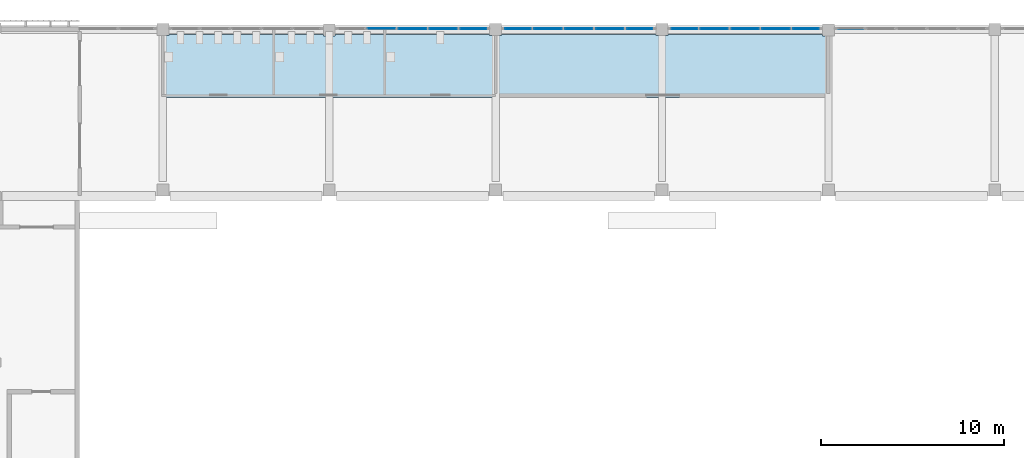
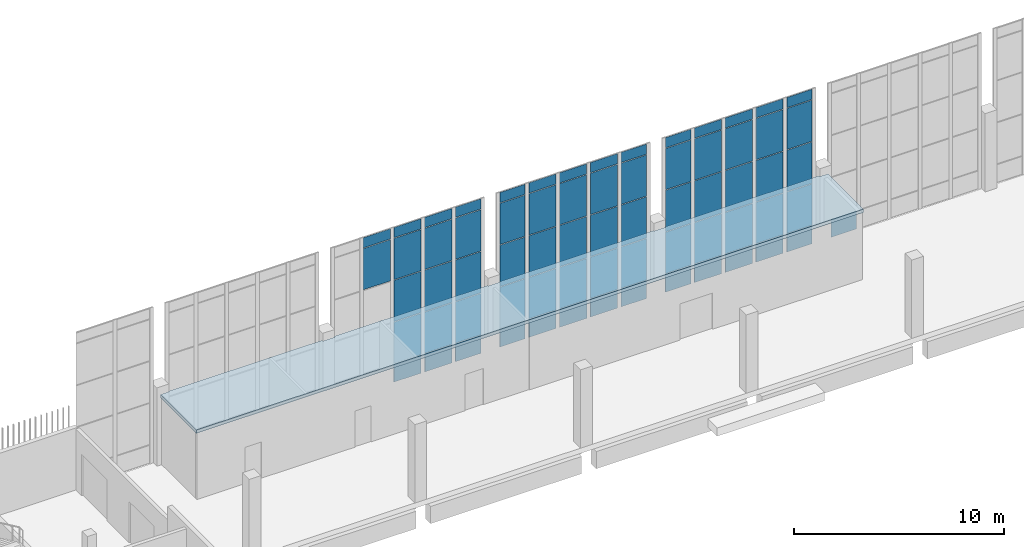
# One storey, part 36 of 91: 68 plates, 1 slab, 4 elements without a shape of their own.
"""IFC4 building model written with IfcOpenShell, lengths in metres."""

from ifc_helpers import new_model, si_unit, direction, frame, origin, origin_2d, place, context, subcontext, project, spatial, polyline, rectangle, outline, extrude, material, layer, layer_set, type_object, element, aggregate, save


model = new_model("IFC4")

# Units and contexts
model_context = context("Model", 3, precision=1e-05, world=origin(), true_north=direction((0.0, 1.0)))
body_context = subcontext(model_context, "Body", "Model", "MODEL_VIEW")
ifc_project = project(units=[si_unit("LENGTHUNIT", "METRE"), si_unit("AREAUNIT", "SQUARE_METRE"), si_unit("VOLUMEUNIT", "CUBIC_METRE"), si_unit("PLANEANGLEUNIT", "RADIAN"), si_unit("MASSUNIT", "GRAM", prefix="KILO")], contexts=[model_context])

# Site, building, storey
site_placement = place(None, origin())
site = spatial("IfcSite", under=ifc_project, at=site_placement, CompositionType="ELEMENT")
building_placement = place(site_placement, origin())
building = spatial("IfcBuilding", under=site, at=building_placement, Name="Shirokan Park Arena", CompositionType="ELEMENT")
storey_placement = place(building_placement, frame((0.0, 0.0, 24.570068359375)))
storey = spatial("IfcBuildingStorey", under=building, at=storey_placement, Name="L05", CompositionType="ELEMENT", Elevation=24.570068359375)

# Curtain wall, plates
ifc_material_1 = material(Name="Steel and glass curtain wall", Category="steel")
ifc_layer_1 = layer(ifc_material_1, 0.199951171875)
ifc_layer_set_1 = layer_set([ifc_layer_1], Name="Steel and glass curtain wall 200 mm")
curtain_wall_type = type_object("IfcCurtainWallType", Name="Curtain wall hall bay 200", PredefinedType="NOTDEFINED", material=ifc_layer_set_1)
curtain_wall_1_placement = place(storey_placement, origin())
curtain_wall_1 = element("IfcCurtainWall", 1, at=curtain_wall_1_placement, inside=storey, type_object=curtain_wall_type, Name="Curtain wall north bay 8 L05", PredefinedType="NOTDEFINED")
ifc_material_2 = material(Name="Toughened glass", Category="glass")
ifc_layer_2 = layer(ifc_material_2, 0.012939453125, Name="Toughened glass")
ifc_material_3 = material(Name="Interlayer film")
ifc_layer_3 = layer(ifc_material_3, 0.001953125, Name="Interlayer film")
ifc_layer_4 = layer(ifc_material_2, 0.012939453125, Name="Toughened glass")
ifc_layer_set_2 = layer_set([ifc_layer_2, ifc_layer_3, ifc_layer_4], Name="Toughened glass + Interlayer film")
plate_type_1 = type_object("IfcPlateType", Name="Laminated glass panel 28", PredefinedType="CURTAIN_PANEL", material=ifc_layer_set_2)
plate_1_placement = place(storey_placement, frame((80.679931640625, 109.25, 1.1201171875), z_axis=(0.0, 0.0, 1.0), x_axis=(-1.0, 0.0, 0.0)))
plate_1 = element("IfcPlate", 2, at=plate_1_placement, type_object=plate_type_1, Name="CW5 panel 1.2", PredefinedType="CURTAIN_PANEL", context=body_context, shape_type="SweptSolid", body=[
    extrude(rectangle(XDim=1.389892578125, YDim=0.028076171875, at=origin_2d()), origin(), (0.0, 0.0, 1.0), 2.393310546875),
])
plate_2_placement = place(storey_placement, frame((80.679931640625, 109.25, 3.55322265625), z_axis=(0.0, 0.0, 1.0), x_axis=(-1.0, 0.0, 0.0)))
plate_2 = element("IfcPlate", 3, at=plate_2_placement, type_object=plate_type_1, Name="CW5 panel 1.3", PredefinedType="CURTAIN_PANEL", context=body_context, shape_type="SweptSolid", body=[
    extrude(rectangle(XDim=1.389892578125, YDim=0.028076171875, at=origin_2d()), origin(), (0.0, 0.0, 1.0), 2.393310546875),
])
plate_3_placement = place(storey_placement, frame((80.679931640625, 109.25, 5.98681640625), z_axis=(0.0, 0.0, 1.0), x_axis=(-1.0, 0.0, 0.0)))
plate_3 = element("IfcPlate", 4, at=plate_3_placement, type_object=plate_type_1, Name="CW5 panel 1.4", PredefinedType="CURTAIN_PANEL", context=body_context, shape_type="SweptSolid", body=[
    extrude(rectangle(XDim=1.389892578125, YDim=0.028076171875, at=origin_2d()), origin(), (0.0, 0.0, 1.0), 2.393310546875),
])
plate_4_placement = place(storey_placement, frame((80.679931640625, 109.25, 8.419921875), z_axis=(0.0, 0.0, 1.0), x_axis=(-1.0, 0.0, 0.0)))
plate_4 = element("IfcPlate", 5, at=plate_4_placement, type_object=plate_type_1, Name="CW5 panel 1.5", PredefinedType="CURTAIN_PANEL", context=body_context, shape_type="SweptSolid", body=[
    extrude(rectangle(XDim=1.389892578125, YDim=0.028076171875, at=origin_2d()), origin(), (0.0, 0.0, 1.0), 0.590087890625),
])
plate_5_placement = place(storey_placement, frame((79.0400390625, 109.25, 1.1201171875), z_axis=(0.0, 0.0, 1.0), x_axis=(-1.0, 0.0, 0.0)))
plate_5 = element("IfcPlate", 6, at=plate_5_placement, type_object=plate_type_1, Name="CW5 panel 2.2", PredefinedType="CURTAIN_PANEL", context=body_context, shape_type="SweptSolid", body=[
    extrude(rectangle(XDim=1.489990234375, YDim=0.028076171875, at=origin_2d()), origin(), (0.0, 0.0, 1.0), 2.393310546875),
])
plate_6_placement = place(storey_placement, frame((79.0400390625, 109.25, 3.55322265625), z_axis=(0.0, 0.0, 1.0), x_axis=(-1.0, 0.0, 0.0)))
plate_6 = element("IfcPlate", 7, at=plate_6_placement, type_object=plate_type_1, Name="CW5 panel 2.3", PredefinedType="CURTAIN_PANEL", context=body_context, shape_type="SweptSolid", body=[
    extrude(rectangle(XDim=1.489990234375, YDim=0.028076171875, at=origin_2d()), origin(), (0.0, 0.0, 1.0), 2.393310546875),
])
plate_7_placement = place(storey_placement, frame((79.0400390625, 109.25, 5.98681640625), z_axis=(0.0, 0.0, 1.0), x_axis=(-1.0, 0.0, 0.0)))
plate_7 = element("IfcPlate", 8, at=plate_7_placement, type_object=plate_type_1, Name="CW5 panel 2.4", PredefinedType="CURTAIN_PANEL", context=body_context, shape_type="SweptSolid", body=[
    extrude(rectangle(XDim=1.489990234375, YDim=0.028076171875, at=origin_2d()), origin(), (0.0, 0.0, 1.0), 2.393310546875),
])
plate_8_placement = place(storey_placement, frame((79.0400390625, 109.25, 8.419921875), z_axis=(0.0, 0.0, 1.0), x_axis=(-1.0, 0.0, 0.0)))
plate_8 = element("IfcPlate", 9, at=plate_8_placement, type_object=plate_type_1, Name="CW5 panel 2.5", PredefinedType="CURTAIN_PANEL", context=body_context, shape_type="SweptSolid", body=[
    extrude(rectangle(XDim=1.489990234375, YDim=0.028076171875, at=origin_2d()), origin(), (0.0, 0.0, 1.0), 0.590087890625),
])
plate_9_placement = place(storey_placement, frame((77.35009765625, 109.25, 1.1201171875), z_axis=(0.0, 0.0, 1.0), x_axis=(-1.0, 0.0, 0.0)))
plate_9 = element("IfcPlate", 10, at=plate_9_placement, type_object=plate_type_1, Name="CW5 panel 3.2", PredefinedType="CURTAIN_PANEL", context=body_context, shape_type="SweptSolid", body=[
    extrude(rectangle(XDim=1.489990234375, YDim=0.028076171875, at=origin_2d()), origin(), (0.0, 0.0, 1.0), 2.393310546875),
])
plate_10_placement = place(storey_placement, frame((77.35009765625, 109.25, 3.55322265625), z_axis=(0.0, 0.0, 1.0), x_axis=(-1.0, 0.0, 0.0)))
plate_10 = element("IfcPlate", 11, at=plate_10_placement, type_object=plate_type_1, Name="CW5 panel 3.3", PredefinedType="CURTAIN_PANEL", context=body_context, shape_type="SweptSolid", body=[
    extrude(rectangle(XDim=1.489990234375, YDim=0.028076171875, at=origin_2d()), origin(), (0.0, 0.0, 1.0), 2.393310546875),
])
plate_11_placement = place(storey_placement, frame((77.35009765625, 109.25, 5.98681640625), z_axis=(0.0, 0.0, 1.0), x_axis=(-1.0, 0.0, 0.0)))
plate_11 = element("IfcPlate", 12, at=plate_11_placement, type_object=plate_type_1, Name="CW5 panel 3.4", PredefinedType="CURTAIN_PANEL", context=body_context, shape_type="SweptSolid", body=[
    extrude(rectangle(XDim=1.489990234375, YDim=0.028076171875, at=origin_2d()), origin(), (0.0, 0.0, 1.0), 2.393310546875),
])
plate_12_placement = place(storey_placement, frame((77.35009765625, 109.25, 8.419921875), z_axis=(0.0, 0.0, 1.0), x_axis=(-1.0, 0.0, 0.0)))
plate_12 = element("IfcPlate", 13, at=plate_12_placement, type_object=plate_type_1, Name="CW5 panel 3.5", PredefinedType="CURTAIN_PANEL", context=body_context, shape_type="SweptSolid", body=[
    extrude(rectangle(XDim=1.489990234375, YDim=0.028076171875, at=origin_2d()), origin(), (0.0, 0.0, 1.0), 0.590087890625),
])
plate_13_placement = place(storey_placement, frame((75.659912109375, 109.25, 1.1201171875), z_axis=(0.0, 0.0, 1.0), x_axis=(-1.0, 0.0, 0.0)))
plate_13 = element("IfcPlate", 14, at=plate_13_placement, type_object=plate_type_1, Name="CW5 panel 4.2", PredefinedType="CURTAIN_PANEL", context=body_context, shape_type="SweptSolid", body=[
    extrude(rectangle(XDim=1.489990234375, YDim=0.028076171875, at=origin_2d()), origin(), (0.0, 0.0, 1.0), 2.393310546875),
])
plate_14_placement = place(storey_placement, frame((75.659912109375, 109.25, 3.55322265625), z_axis=(0.0, 0.0, 1.0), x_axis=(-1.0, 0.0, 0.0)))
plate_14 = element("IfcPlate", 15, at=plate_14_placement, type_object=plate_type_1, Name="CW5 panel 4.3", PredefinedType="CURTAIN_PANEL", context=body_context, shape_type="SweptSolid", body=[
    extrude(rectangle(XDim=1.489990234375, YDim=0.028076171875, at=origin_2d()), origin(), (0.0, 0.0, 1.0), 2.393310546875),
])
plate_15_placement = place(storey_placement, frame((75.659912109375, 109.25, 5.98681640625), z_axis=(0.0, 0.0, 1.0), x_axis=(-1.0, 0.0, 0.0)))
plate_15 = element("IfcPlate", 16, at=plate_15_placement, type_object=plate_type_1, Name="CW5 panel 4.4", PredefinedType="CURTAIN_PANEL", context=body_context, shape_type="SweptSolid", body=[
    extrude(rectangle(XDim=1.489990234375, YDim=0.028076171875, at=origin_2d()), origin(), (0.0, 0.0, 1.0), 2.393310546875),
])
plate_16_placement = place(storey_placement, frame((75.659912109375, 109.25, 8.419921875), z_axis=(0.0, 0.0, 1.0), x_axis=(-1.0, 0.0, 0.0)))
plate_16 = element("IfcPlate", 17, at=plate_16_placement, type_object=plate_type_1, Name="CW5 panel 4.5", PredefinedType="CURTAIN_PANEL", context=body_context, shape_type="SweptSolid", body=[
    extrude(rectangle(XDim=1.489990234375, YDim=0.028076171875, at=origin_2d()), origin(), (0.0, 0.0, 1.0), 0.590087890625),
])
plate_17_placement = place(storey_placement, frame((74.02001953125, 109.25, 1.1201171875), z_axis=(0.0, 0.0, 1.0), x_axis=(-1.0, 0.0, 0.0)))
plate_17 = element("IfcPlate", 18, at=plate_17_placement, type_object=plate_type_1, Name="CW5 panel 5.2", PredefinedType="CURTAIN_PANEL", context=body_context, shape_type="SweptSolid", body=[
    extrude(rectangle(XDim=1.389892578125, YDim=0.028076171875, at=origin_2d()), origin(), (0.0, 0.0, 1.0), 2.393310546875),
])
plate_18_placement = place(storey_placement, frame((74.02001953125, 109.25, 3.55322265625), z_axis=(0.0, 0.0, 1.0), x_axis=(-1.0, 0.0, 0.0)))
plate_18 = element("IfcPlate", 19, at=plate_18_placement, type_object=plate_type_1, Name="CW5 panel 5.3", PredefinedType="CURTAIN_PANEL", context=body_context, shape_type="SweptSolid", body=[
    extrude(rectangle(XDim=1.389892578125, YDim=0.028076171875, at=origin_2d()), origin(), (0.0, 0.0, 1.0), 2.393310546875),
])
plate_19_placement = place(storey_placement, frame((74.02001953125, 109.25, 5.98681640625), z_axis=(0.0, 0.0, 1.0), x_axis=(-1.0, 0.0, 0.0)))
plate_19 = element("IfcPlate", 20, at=plate_19_placement, type_object=plate_type_1, Name="CW5 panel 5.4", PredefinedType="CURTAIN_PANEL", context=body_context, shape_type="SweptSolid", body=[
    extrude(rectangle(XDim=1.389892578125, YDim=0.028076171875, at=origin_2d()), origin(), (0.0, 0.0, 1.0), 2.393310546875),
])
plate_20_placement = place(storey_placement, frame((74.02001953125, 109.25, 8.419921875), z_axis=(0.0, 0.0, 1.0), x_axis=(-1.0, 0.0, 0.0)))
plate_20 = element("IfcPlate", 21, at=plate_20_placement, type_object=plate_type_1, Name="CW5 panel 5.5", PredefinedType="CURTAIN_PANEL", context=body_context, shape_type="SweptSolid", body=[
    extrude(rectangle(XDim=1.389892578125, YDim=0.028076171875, at=origin_2d()), origin(), (0.0, 0.0, 1.0), 0.590087890625),
])

curtain_wall_2_placement = place(storey_placement, origin())
curtain_wall_2 = element("IfcCurtainWall", 22, at=curtain_wall_2_placement, inside=storey, type_object=curtain_wall_type, Name="Curtain wall north bay 9 L05", PredefinedType="NOTDEFINED")
plate_21_placement = place(storey_placement, frame((71.580078125, 109.25, 1.1201171875), z_axis=(0.0, 0.0, 1.0), x_axis=(-1.0, 0.0, 0.0)))
plate_21 = element("IfcPlate", 23, at=plate_21_placement, type_object=plate_type_1, Name="CW5 panel 1.2", PredefinedType="CURTAIN_PANEL", context=body_context, shape_type="SweptSolid", body=[
    extrude(rectangle(XDim=1.389892578125, YDim=0.028076171875, at=origin_2d()), origin(), (0.0, 0.0, 1.0), 2.393310546875),
])
plate_22_placement = place(storey_placement, frame((71.580078125, 109.25, 3.55322265625), z_axis=(0.0, 0.0, 1.0), x_axis=(-1.0, 0.0, 0.0)))
plate_22 = element("IfcPlate", 24, at=plate_22_placement, type_object=plate_type_1, Name="CW5 panel 1.3", PredefinedType="CURTAIN_PANEL", context=body_context, shape_type="SweptSolid", body=[
    extrude(rectangle(XDim=1.389892578125, YDim=0.028076171875, at=origin_2d()), origin(), (0.0, 0.0, 1.0), 2.393310546875),
])
plate_23_placement = place(storey_placement, frame((71.580078125, 109.25, 5.98681640625), z_axis=(0.0, 0.0, 1.0), x_axis=(-1.0, 0.0, 0.0)))
plate_23 = element("IfcPlate", 25, at=plate_23_placement, type_object=plate_type_1, Name="CW5 panel 1.4", PredefinedType="CURTAIN_PANEL", context=body_context, shape_type="SweptSolid", body=[
    extrude(rectangle(XDim=1.389892578125, YDim=0.028076171875, at=origin_2d()), origin(), (0.0, 0.0, 1.0), 2.393310546875),
])
plate_24_placement = place(storey_placement, frame((71.580078125, 109.25, 8.419921875), z_axis=(0.0, 0.0, 1.0), x_axis=(-1.0, 0.0, 0.0)))
plate_24 = element("IfcPlate", 26, at=plate_24_placement, type_object=plate_type_1, Name="CW5 panel 1.5", PredefinedType="CURTAIN_PANEL", context=body_context, shape_type="SweptSolid", body=[
    extrude(rectangle(XDim=1.389892578125, YDim=0.028076171875, at=origin_2d()), origin(), (0.0, 0.0, 1.0), 0.590087890625),
])
plate_25_placement = place(storey_placement, frame((69.93994140625, 109.25, 1.1201171875), z_axis=(0.0, 0.0, 1.0), x_axis=(-1.0, 0.0, 0.0)))
plate_25 = element("IfcPlate", 27, at=plate_25_placement, type_object=plate_type_1, Name="CW5 panel 2.2", PredefinedType="CURTAIN_PANEL", context=body_context, shape_type="SweptSolid", body=[
    extrude(rectangle(XDim=1.489990234375, YDim=0.028076171875, at=origin_2d()), origin(), (0.0, 0.0, 1.0), 2.393310546875),
])
plate_26_placement = place(storey_placement, frame((69.93994140625, 109.25, 3.55322265625), z_axis=(0.0, 0.0, 1.0), x_axis=(-1.0, 0.0, 0.0)))
plate_26 = element("IfcPlate", 28, at=plate_26_placement, type_object=plate_type_1, Name="CW5 panel 2.3", PredefinedType="CURTAIN_PANEL", context=body_context, shape_type="SweptSolid", body=[
    extrude(rectangle(XDim=1.489990234375, YDim=0.028076171875, at=origin_2d()), origin(), (0.0, 0.0, 1.0), 2.393310546875),
])
plate_27_placement = place(storey_placement, frame((69.93994140625, 109.25, 5.98681640625), z_axis=(0.0, 0.0, 1.0), x_axis=(-1.0, 0.0, 0.0)))
plate_27 = element("IfcPlate", 29, at=plate_27_placement, type_object=plate_type_1, Name="CW5 panel 2.4", PredefinedType="CURTAIN_PANEL", context=body_context, shape_type="SweptSolid", body=[
    extrude(rectangle(XDim=1.489990234375, YDim=0.028076171875, at=origin_2d()), origin(), (0.0, 0.0, 1.0), 2.393310546875),
])
plate_28_placement = place(storey_placement, frame((69.93994140625, 109.25, 8.419921875), z_axis=(0.0, 0.0, 1.0), x_axis=(-1.0, 0.0, 0.0)))
plate_28 = element("IfcPlate", 30, at=plate_28_placement, type_object=plate_type_1, Name="CW5 panel 2.5", PredefinedType="CURTAIN_PANEL", context=body_context, shape_type="SweptSolid", body=[
    extrude(rectangle(XDim=1.489990234375, YDim=0.028076171875, at=origin_2d()), origin(), (0.0, 0.0, 1.0), 0.590087890625),
])
plate_29_placement = place(storey_placement, frame((68.25, 109.25, 1.1201171875), z_axis=(0.0, 0.0, 1.0), x_axis=(-1.0, 0.0, 0.0)))
plate_29 = element("IfcPlate", 31, at=plate_29_placement, type_object=plate_type_1, Name="CW5 panel 3.2", PredefinedType="CURTAIN_PANEL", context=body_context, shape_type="SweptSolid", body=[
    extrude(rectangle(XDim=1.489990234375, YDim=0.028076171875, at=origin_2d()), origin(), (0.0, 0.0, 1.0), 2.393310546875),
])
plate_30_placement = place(storey_placement, frame((68.25, 109.25, 3.55322265625), z_axis=(0.0, 0.0, 1.0), x_axis=(-1.0, 0.0, 0.0)))
plate_30 = element("IfcPlate", 32, at=plate_30_placement, type_object=plate_type_1, Name="CW5 panel 3.3", PredefinedType="CURTAIN_PANEL", context=body_context, shape_type="SweptSolid", body=[
    extrude(rectangle(XDim=1.489990234375, YDim=0.028076171875, at=origin_2d()), origin(), (0.0, 0.0, 1.0), 2.393310546875),
])
plate_31_placement = place(storey_placement, frame((68.25, 109.25, 5.98681640625), z_axis=(0.0, 0.0, 1.0), x_axis=(-1.0, 0.0, 0.0)))
plate_31 = element("IfcPlate", 33, at=plate_31_placement, type_object=plate_type_1, Name="CW5 panel 3.4", PredefinedType="CURTAIN_PANEL", context=body_context, shape_type="SweptSolid", body=[
    extrude(rectangle(XDim=1.489990234375, YDim=0.028076171875, at=origin_2d()), origin(), (0.0, 0.0, 1.0), 2.393310546875),
])
plate_32_placement = place(storey_placement, frame((68.25, 109.25, 8.419921875), z_axis=(0.0, 0.0, 1.0), x_axis=(-1.0, 0.0, 0.0)))
plate_32 = element("IfcPlate", 34, at=plate_32_placement, type_object=plate_type_1, Name="CW5 panel 3.5", PredefinedType="CURTAIN_PANEL", context=body_context, shape_type="SweptSolid", body=[
    extrude(rectangle(XDim=1.489990234375, YDim=0.028076171875, at=origin_2d()), origin(), (0.0, 0.0, 1.0), 0.590087890625),
])
plate_33_placement = place(storey_placement, frame((66.56005859375, 109.25, 1.1201171875), z_axis=(0.0, 0.0, 1.0), x_axis=(-1.0, 0.0, 0.0)))
plate_33 = element("IfcPlate", 35, at=plate_33_placement, type_object=plate_type_1, Name="CW5 panel 4.2", PredefinedType="CURTAIN_PANEL", context=body_context, shape_type="SweptSolid", body=[
    extrude(rectangle(XDim=1.489990234375, YDim=0.028076171875, at=origin_2d()), origin(), (0.0, 0.0, 1.0), 2.393310546875),
])
plate_34_placement = place(storey_placement, frame((66.56005859375, 109.25, 3.55322265625), z_axis=(0.0, 0.0, 1.0), x_axis=(-1.0, 0.0, 0.0)))
plate_34 = element("IfcPlate", 36, at=plate_34_placement, type_object=plate_type_1, Name="CW5 panel 4.3", PredefinedType="CURTAIN_PANEL", context=body_context, shape_type="SweptSolid", body=[
    extrude(rectangle(XDim=1.489990234375, YDim=0.028076171875, at=origin_2d()), origin(), (0.0, 0.0, 1.0), 2.393310546875),
])
plate_35_placement = place(storey_placement, frame((66.56005859375, 109.25, 5.98681640625), z_axis=(0.0, 0.0, 1.0), x_axis=(-1.0, 0.0, 0.0)))
plate_35 = element("IfcPlate", 37, at=plate_35_placement, type_object=plate_type_1, Name="CW5 panel 4.4", PredefinedType="CURTAIN_PANEL", context=body_context, shape_type="SweptSolid", body=[
    extrude(rectangle(XDim=1.489990234375, YDim=0.028076171875, at=origin_2d()), origin(), (0.0, 0.0, 1.0), 2.393310546875),
])
plate_36_placement = place(storey_placement, frame((66.56005859375, 109.25, 8.419921875), z_axis=(0.0, 0.0, 1.0), x_axis=(-1.0, 0.0, 0.0)))
plate_36 = element("IfcPlate", 38, at=plate_36_placement, type_object=plate_type_1, Name="CW5 panel 4.5", PredefinedType="CURTAIN_PANEL", context=body_context, shape_type="SweptSolid", body=[
    extrude(rectangle(XDim=1.489990234375, YDim=0.028076171875, at=origin_2d()), origin(), (0.0, 0.0, 1.0), 0.590087890625),
])
plate_37_placement = place(storey_placement, frame((64.919921875, 109.25, 1.1201171875), z_axis=(0.0, 0.0, 1.0), x_axis=(-1.0, 0.0, 0.0)))
plate_37 = element("IfcPlate", 39, at=plate_37_placement, type_object=plate_type_1, Name="CW5 panel 5.2", PredefinedType="CURTAIN_PANEL", context=body_context, shape_type="SweptSolid", body=[
    extrude(rectangle(XDim=1.389892578125, YDim=0.028076171875, at=origin_2d()), origin(), (0.0, 0.0, 1.0), 2.393310546875),
])
plate_38_placement = place(storey_placement, frame((64.919921875, 109.25, 3.55322265625), z_axis=(0.0, 0.0, 1.0), x_axis=(-1.0, 0.0, 0.0)))
plate_38 = element("IfcPlate", 40, at=plate_38_placement, type_object=plate_type_1, Name="CW5 panel 5.3", PredefinedType="CURTAIN_PANEL", context=body_context, shape_type="SweptSolid", body=[
    extrude(rectangle(XDim=1.389892578125, YDim=0.028076171875, at=origin_2d()), origin(), (0.0, 0.0, 1.0), 2.393310546875),
])
plate_39_placement = place(storey_placement, frame((64.919921875, 109.25, 5.98681640625), z_axis=(0.0, 0.0, 1.0), x_axis=(-1.0, 0.0, 0.0)))
plate_39 = element("IfcPlate", 41, at=plate_39_placement, type_object=plate_type_1, Name="CW5 panel 5.4", PredefinedType="CURTAIN_PANEL", context=body_context, shape_type="SweptSolid", body=[
    extrude(rectangle(XDim=1.389892578125, YDim=0.028076171875, at=origin_2d()), origin(), (0.0, 0.0, 1.0), 2.393310546875),
])
plate_40_placement = place(storey_placement, frame((64.919921875, 109.25, 8.419921875), z_axis=(0.0, 0.0, 1.0), x_axis=(-1.0, 0.0, 0.0)))
plate_40 = element("IfcPlate", 42, at=plate_40_placement, type_object=plate_type_1, Name="CW5 panel 5.5", PredefinedType="CURTAIN_PANEL", context=body_context, shape_type="SweptSolid", body=[
    extrude(rectangle(XDim=1.389892578125, YDim=0.028076171875, at=origin_2d()), origin(), (0.0, 0.0, 1.0), 0.590087890625),
])

curtain_wall_3_placement = place(storey_placement, origin())
curtain_wall_3 = element("IfcCurtainWall", 43, at=curtain_wall_3_placement, inside=storey, type_object=curtain_wall_type, Name="Curtain wall north bay 10 L05", PredefinedType="NOTDEFINED")
plate_41_placement = place(storey_placement, frame((62.47998046875, 109.25, 1.1201171875), z_axis=(0.0, 0.0, 1.0), x_axis=(-1.0, 0.0, 0.0)))
plate_41 = element("IfcPlate", 44, at=plate_41_placement, type_object=plate_type_1, Name="CW5 panel 1.2", PredefinedType="CURTAIN_PANEL", context=body_context, shape_type="SweptSolid", body=[
    extrude(rectangle(XDim=1.389892578125, YDim=0.028076171875, at=origin_2d()), origin(), (0.0, 0.0, 1.0), 2.393310546875),
])
plate_42_placement = place(storey_placement, frame((62.47998046875, 109.25, 3.55322265625), z_axis=(0.0, 0.0, 1.0), x_axis=(-1.0, 0.0, 0.0)))
plate_42 = element("IfcPlate", 45, at=plate_42_placement, type_object=plate_type_1, Name="CW5 panel 1.3", PredefinedType="CURTAIN_PANEL", context=body_context, shape_type="SweptSolid", body=[
    extrude(rectangle(XDim=1.389892578125, YDim=0.028076171875, at=origin_2d()), origin(), (0.0, 0.0, 1.0), 2.393310546875),
])
plate_43_placement = place(storey_placement, frame((62.47998046875, 109.25, 5.98681640625), z_axis=(0.0, 0.0, 1.0), x_axis=(-1.0, 0.0, 0.0)))
plate_43 = element("IfcPlate", 46, at=plate_43_placement, type_object=plate_type_1, Name="CW5 panel 1.4", PredefinedType="CURTAIN_PANEL", context=body_context, shape_type="SweptSolid", body=[
    extrude(rectangle(XDim=1.389892578125, YDim=0.028076171875, at=origin_2d()), origin(), (0.0, 0.0, 1.0), 2.393310546875),
])
plate_44_placement = place(storey_placement, frame((62.47998046875, 109.25, 8.419921875), z_axis=(0.0, 0.0, 1.0), x_axis=(-1.0, 0.0, 0.0)))
plate_44 = element("IfcPlate", 47, at=plate_44_placement, type_object=plate_type_1, Name="CW5 panel 1.5", PredefinedType="CURTAIN_PANEL", context=body_context, shape_type="SweptSolid", body=[
    extrude(rectangle(XDim=1.389892578125, YDim=0.028076171875, at=origin_2d()), origin(), (0.0, 0.0, 1.0), 0.590087890625),
])
plate_45_placement = place(storey_placement, frame((60.840087890625, 109.25, 1.1201171875), z_axis=(0.0, 0.0, 1.0), x_axis=(-1.0, 0.0, 0.0)))
plate_45 = element("IfcPlate", 48, at=plate_45_placement, type_object=plate_type_1, Name="CW5 panel 2.2", PredefinedType="CURTAIN_PANEL", context=body_context, shape_type="SweptSolid", body=[
    extrude(rectangle(XDim=1.489990234375, YDim=0.028076171875, at=origin_2d()), origin(), (0.0, 0.0, 1.0), 2.393310546875),
])
plate_46_placement = place(storey_placement, frame((60.840087890625, 109.25, 3.55322265625), z_axis=(0.0, 0.0, 1.0), x_axis=(-1.0, 0.0, 0.0)))
plate_46 = element("IfcPlate", 49, at=plate_46_placement, type_object=plate_type_1, Name="CW5 panel 2.3", PredefinedType="CURTAIN_PANEL", context=body_context, shape_type="SweptSolid", body=[
    extrude(rectangle(XDim=1.489990234375, YDim=0.028076171875, at=origin_2d()), origin(), (0.0, 0.0, 1.0), 2.393310546875),
])
plate_47_placement = place(storey_placement, frame((60.840087890625, 109.25, 5.98681640625), z_axis=(0.0, 0.0, 1.0), x_axis=(-1.0, 0.0, 0.0)))
plate_47 = element("IfcPlate", 50, at=plate_47_placement, type_object=plate_type_1, Name="CW5 panel 2.4", PredefinedType="CURTAIN_PANEL", context=body_context, shape_type="SweptSolid", body=[
    extrude(rectangle(XDim=1.489990234375, YDim=0.028076171875, at=origin_2d()), origin(), (0.0, 0.0, 1.0), 2.393310546875),
])
plate_48_placement = place(storey_placement, frame((60.840087890625, 109.25, 8.419921875), z_axis=(0.0, 0.0, 1.0), x_axis=(-1.0, 0.0, 0.0)))
plate_48 = element("IfcPlate", 51, at=plate_48_placement, type_object=plate_type_1, Name="CW5 panel 2.5", PredefinedType="CURTAIN_PANEL", context=body_context, shape_type="SweptSolid", body=[
    extrude(rectangle(XDim=1.489990234375, YDim=0.028076171875, at=origin_2d()), origin(), (0.0, 0.0, 1.0), 0.590087890625),
])
plate_49_placement = place(storey_placement, frame((59.14990234375, 109.25, 1.1201171875), z_axis=(0.0, 0.0, 1.0), x_axis=(-1.0, 0.0, 0.0)))
plate_49 = element("IfcPlate", 52, at=plate_49_placement, type_object=plate_type_1, Name="CW5 panel 3.2", PredefinedType="CURTAIN_PANEL", context=body_context, shape_type="SweptSolid", body=[
    extrude(rectangle(XDim=1.489990234375, YDim=0.028076171875, at=origin_2d()), origin(), (0.0, 0.0, 1.0), 2.393310546875),
])
plate_50_placement = place(storey_placement, frame((59.14990234375, 109.25, 3.55322265625), z_axis=(0.0, 0.0, 1.0), x_axis=(-1.0, 0.0, 0.0)))
plate_50 = element("IfcPlate", 53, at=plate_50_placement, type_object=plate_type_1, Name="CW5 panel 3.3", PredefinedType="CURTAIN_PANEL", context=body_context, shape_type="SweptSolid", body=[
    extrude(rectangle(XDim=1.489990234375, YDim=0.028076171875, at=origin_2d()), origin(), (0.0, 0.0, 1.0), 2.393310546875),
])
plate_51_placement = place(storey_placement, frame((59.14990234375, 109.25, 5.98681640625), z_axis=(0.0, 0.0, 1.0), x_axis=(-1.0, 0.0, 0.0)))
plate_51 = element("IfcPlate", 54, at=plate_51_placement, type_object=plate_type_1, Name="CW5 panel 3.4", PredefinedType="CURTAIN_PANEL", context=body_context, shape_type="SweptSolid", body=[
    extrude(rectangle(XDim=1.489990234375, YDim=0.028076171875, at=origin_2d()), origin(), (0.0, 0.0, 1.0), 2.393310546875),
])
plate_52_placement = place(storey_placement, frame((59.14990234375, 109.25, 8.419921875), z_axis=(0.0, 0.0, 1.0), x_axis=(-1.0, 0.0, 0.0)))
plate_52 = element("IfcPlate", 55, at=plate_52_placement, type_object=plate_type_1, Name="CW5 panel 3.5", PredefinedType="CURTAIN_PANEL", context=body_context, shape_type="SweptSolid", body=[
    extrude(rectangle(XDim=1.489990234375, YDim=0.028076171875, at=origin_2d()), origin(), (0.0, 0.0, 1.0), 0.590087890625),
])
plate_53_placement = place(storey_placement, frame((57.4599609375, 109.25, 5.98681640625), z_axis=(0.0, 0.0, 1.0), x_axis=(-1.0, 0.0, 0.0)))
plate_53 = element("IfcPlate", 56, at=plate_53_placement, type_object=plate_type_1, Name="CW5 panel 4.4", PredefinedType="CURTAIN_PANEL", context=body_context, shape_type="SweptSolid", body=[
    extrude(rectangle(XDim=1.489990234375, YDim=0.028076171875, at=origin_2d()), origin(), (0.0, 0.0, 1.0), 2.393310546875),
])
plate_54_placement = place(storey_placement, frame((57.4599609375, 109.25, 8.419921875), z_axis=(0.0, 0.0, 1.0), x_axis=(-1.0, 0.0, 0.0)))
plate_54 = element("IfcPlate", 57, at=plate_54_placement, type_object=plate_type_1, Name="CW5 panel 4.5", PredefinedType="CURTAIN_PANEL", context=body_context, shape_type="SweptSolid", body=[
    extrude(rectangle(XDim=1.489990234375, YDim=0.028076171875, at=origin_2d()), origin(), (0.0, 0.0, 1.0), 0.590087890625),
])

# Curtain wall, plate
curtain_wall_4_placement = place(storey_placement, origin())
curtain_wall_4 = element("IfcCurtainWall", 58, at=curtain_wall_4_placement, inside=storey, type_object=curtain_wall_type, Name="Curtain wall north bay 7 L05", PredefinedType="NOTDEFINED")
ifc_layer_5 = layer(ifc_material_2, 0.01708984375, Name="Toughened glass")
ifc_layer_6 = layer(ifc_material_3, 0.001953125, Name="Interlayer film")
ifc_layer_7 = layer(ifc_material_2, 0.01708984375, Name="Toughened glass")
ifc_layer_set_3 = layer_set([ifc_layer_5, ifc_layer_6, ifc_layer_7], Name="Toughened glass + Interlayer film")
plate_type_2 = type_object("IfcPlateType", Name="Laminated safety glass panel 36", PredefinedType="CURTAIN_PANEL", material=ifc_layer_set_3)
plate_55_placement = place(storey_placement, frame((83.1201171875, 109.25, 0.039794921875), z_axis=(0.0, 0.0, 1.0), x_axis=(-1.0, 0.0, 0.0)))
plate_55 = element("IfcPlate", 59, at=plate_55_placement, type_object=plate_type_2, Name="CW5 panel 5.1", PredefinedType="CURTAIN_PANEL", context=body_context, shape_type="SweptSolid", body=[
    extrude(rectangle(XDim=1.389892578125, YDim=0.035888671875, at=origin_2d()), origin(), (0.0, 0.0, 1.0), 1.0400390625),
])
aggregate(curtain_wall_4, [plate_55])

# Plate
plate_56_placement = place(storey_placement, frame((80.679931640625, 109.25, 0.039794921875), z_axis=(0.0, 0.0, 1.0), x_axis=(-1.0, 0.0, 0.0)))
plate_56 = element("IfcPlate", 60, at=plate_56_placement, type_object=plate_type_2, Name="CW5 panel 1.1", PredefinedType="CURTAIN_PANEL", context=body_context, shape_type="SweptSolid", body=[
    extrude(rectangle(XDim=1.389892578125, YDim=0.035888671875, at=origin_2d()), origin(), (0.0, 0.0, 1.0), 1.0400390625),
])

plate_57_placement = place(storey_placement, frame((79.0400390625, 109.25, 0.039794921875), z_axis=(0.0, 0.0, 1.0), x_axis=(-1.0, 0.0, 0.0)))
plate_57 = element("IfcPlate", 61, at=plate_57_placement, type_object=plate_type_2, Name="CW5 panel 2.1", PredefinedType="CURTAIN_PANEL", context=body_context, shape_type="SweptSolid", body=[
    extrude(rectangle(XDim=1.489990234375, YDim=0.035888671875, at=origin_2d()), origin(), (0.0, 0.0, 1.0), 1.0400390625),
])

plate_58_placement = place(storey_placement, frame((77.35009765625, 109.25, 0.039794921875), z_axis=(0.0, 0.0, 1.0), x_axis=(-1.0, 0.0, 0.0)))
plate_58 = element("IfcPlate", 62, at=plate_58_placement, type_object=plate_type_2, Name="CW5 panel 3.1", PredefinedType="CURTAIN_PANEL", context=body_context, shape_type="SweptSolid", body=[
    extrude(rectangle(XDim=1.489990234375, YDim=0.035888671875, at=origin_2d()), origin(), (0.0, 0.0, 1.0), 1.0400390625),
])

plate_59_placement = place(storey_placement, frame((75.659912109375, 109.25, 0.039794921875), z_axis=(0.0, 0.0, 1.0), x_axis=(-1.0, 0.0, 0.0)))
plate_59 = element("IfcPlate", 63, at=plate_59_placement, type_object=plate_type_2, Name="CW5 panel 4.1", PredefinedType="CURTAIN_PANEL", context=body_context, shape_type="SweptSolid", body=[
    extrude(rectangle(XDim=1.489990234375, YDim=0.035888671875, at=origin_2d()), origin(), (0.0, 0.0, 1.0), 1.0400390625),
])

plate_60_placement = place(storey_placement, frame((74.02001953125, 109.25, 0.039794921875), z_axis=(0.0, 0.0, 1.0), x_axis=(-1.0, 0.0, 0.0)))
plate_60 = element("IfcPlate", 64, at=plate_60_placement, type_object=plate_type_2, Name="CW5 panel 5.1", PredefinedType="CURTAIN_PANEL", context=body_context, shape_type="SweptSolid", body=[
    extrude(rectangle(XDim=1.389892578125, YDim=0.035888671875, at=origin_2d()), origin(), (0.0, 0.0, 1.0), 1.0400390625),
])

aggregate(curtain_wall_1, [plate_56, plate_1, plate_2, plate_3, plate_4, plate_57, plate_5, plate_6, plate_7, plate_8, plate_58, plate_9, plate_10, plate_11, plate_12, plate_59, plate_13, plate_14, plate_15, plate_16, plate_60, plate_17, plate_18, plate_19, plate_20])

plate_61_placement = place(storey_placement, frame((71.580078125, 109.25, 0.039794921875), z_axis=(0.0, 0.0, 1.0), x_axis=(-1.0, 0.0, 0.0)))
plate_61 = element("IfcPlate", 65, at=plate_61_placement, type_object=plate_type_2, Name="CW5 panel 1.1", PredefinedType="CURTAIN_PANEL", context=body_context, shape_type="SweptSolid", body=[
    extrude(rectangle(XDim=1.389892578125, YDim=0.035888671875, at=origin_2d()), origin(), (0.0, 0.0, 1.0), 1.0400390625),
])

plate_62_placement = place(storey_placement, frame((69.93994140625, 109.25, 0.039794921875), z_axis=(0.0, 0.0, 1.0), x_axis=(-1.0, 0.0, 0.0)))
plate_62 = element("IfcPlate", 66, at=plate_62_placement, type_object=plate_type_2, Name="CW5 panel 2.1", PredefinedType="CURTAIN_PANEL", context=body_context, shape_type="SweptSolid", body=[
    extrude(rectangle(XDim=1.489990234375, YDim=0.035888671875, at=origin_2d()), origin(), (0.0, 0.0, 1.0), 1.0400390625),
])

plate_63_placement = place(storey_placement, frame((68.25, 109.25, 0.039794921875), z_axis=(0.0, 0.0, 1.0), x_axis=(-1.0, 0.0, 0.0)))
plate_63 = element("IfcPlate", 67, at=plate_63_placement, type_object=plate_type_2, Name="CW5 panel 3.1", PredefinedType="CURTAIN_PANEL", context=body_context, shape_type="SweptSolid", body=[
    extrude(rectangle(XDim=1.489990234375, YDim=0.035888671875, at=origin_2d()), origin(), (0.0, 0.0, 1.0), 1.0400390625),
])

plate_64_placement = place(storey_placement, frame((66.56005859375, 109.25, 0.039794921875), z_axis=(0.0, 0.0, 1.0), x_axis=(-1.0, 0.0, 0.0)))
plate_64 = element("IfcPlate", 68, at=plate_64_placement, type_object=plate_type_2, Name="CW5 panel 4.1", PredefinedType="CURTAIN_PANEL", context=body_context, shape_type="SweptSolid", body=[
    extrude(rectangle(XDim=1.489990234375, YDim=0.035888671875, at=origin_2d()), origin(), (0.0, 0.0, 1.0), 1.0400390625),
])

plate_65_placement = place(storey_placement, frame((64.919921875, 109.25, 0.039794921875), z_axis=(0.0, 0.0, 1.0), x_axis=(-1.0, 0.0, 0.0)))
plate_65 = element("IfcPlate", 69, at=plate_65_placement, type_object=plate_type_2, Name="CW5 panel 5.1", PredefinedType="CURTAIN_PANEL", context=body_context, shape_type="SweptSolid", body=[
    extrude(rectangle(XDim=1.389892578125, YDim=0.035888671875, at=origin_2d()), origin(), (0.0, 0.0, 1.0), 1.0400390625),
])

aggregate(curtain_wall_2, [plate_61, plate_21, plate_22, plate_23, plate_24, plate_62, plate_25, plate_26, plate_27, plate_28, plate_63, plate_29, plate_30, plate_31, plate_32, plate_64, plate_33, plate_34, plate_35, plate_36, plate_65, plate_37, plate_38, plate_39, plate_40])

plate_66_placement = place(storey_placement, frame((62.47998046875, 109.25, 0.039794921875), z_axis=(0.0, 0.0, 1.0), x_axis=(-1.0, 0.0, 0.0)))
plate_66 = element("IfcPlate", 70, at=plate_66_placement, type_object=plate_type_2, Name="CW5 panel 1.1", PredefinedType="CURTAIN_PANEL", context=body_context, shape_type="SweptSolid", body=[
    extrude(rectangle(XDim=1.389892578125, YDim=0.035888671875, at=origin_2d()), origin(), (0.0, 0.0, 1.0), 1.0400390625),
])

plate_67_placement = place(storey_placement, frame((60.840087890625, 109.25, 0.039794921875), z_axis=(0.0, 0.0, 1.0), x_axis=(-1.0, 0.0, 0.0)))
plate_67 = element("IfcPlate", 71, at=plate_67_placement, type_object=plate_type_2, Name="CW5 panel 2.1", PredefinedType="CURTAIN_PANEL", context=body_context, shape_type="SweptSolid", body=[
    extrude(rectangle(XDim=1.489990234375, YDim=0.035888671875, at=origin_2d()), origin(), (0.0, 0.0, 1.0), 1.0400390625),
])

plate_68_placement = place(storey_placement, frame((59.14990234375, 109.25, 0.039794921875), z_axis=(0.0, 0.0, 1.0), x_axis=(-1.0, 0.0, 0.0)))
plate_68 = element("IfcPlate", 72, at=plate_68_placement, type_object=plate_type_2, Name="CW5 panel 3.1", PredefinedType="CURTAIN_PANEL", context=body_context, shape_type="SweptSolid", body=[
    extrude(rectangle(XDim=1.489990234375, YDim=0.035888671875, at=origin_2d()), origin(), (0.0, 0.0, 1.0), 1.0400390625),
])

aggregate(curtain_wall_3, [plate_66, plate_41, plate_42, plate_43, plate_44, plate_67, plate_45, plate_46, plate_47, plate_48, plate_68, plate_49, plate_50, plate_51, plate_52, plate_53, plate_54])

# Slab
ifc_material_4 = material(Name="Concrete C35", Category="concrete")
ifc_layer_8 = layer(ifc_material_4, 0.199951171875)
ifc_layer_set_4 = layer_set([ifc_layer_8], Name="Concrete C35 200 mm")
slab_type = type_object("IfcSlabType", Name="Pavilion roof slab 200", PredefinedType="ROOF", material=ifc_layer_set_4)
slab_placement = place(storey_placement, frame((0.0, 0.0, 3.89990234375)))
element("IfcSlab", 73, at=slab_placement, inside=storey, type_object=slab_type, Name="Pavilion roof L05", PredefinedType="ROOF", context=body_context, shape_type="SweptSolid", body=[
    extrude(outline(polyline([(45.375, 105.47509765625), (45.375, 108.875), (45.824951171875, 108.875), (45.824951171875, 108.925048828125), (54.27490234375, 108.925048828125), (54.27490234375, 108.85009765625), (54.925048828125, 108.85009765625), (54.925048828125, 108.925048828125), (63.375, 108.925048828125), (63.375, 108.875), (64.02490234375, 108.875), (64.02490234375, 108.925048828125), (72.47509765625, 108.925048828125), (72.47509765625, 108.875), (73.125, 108.875), (73.125, 108.925048828125), (81.574951171875, 108.925048828125), (81.574951171875, 108.85009765625), (82.02490234375, 108.85009765625), (82.02490234375, 105.47509765625), (45.375, 105.47509765625)])), origin(), (0.0, 0.0, 1.0), 0.199951171875),
])

save(model, "model.ifc")
